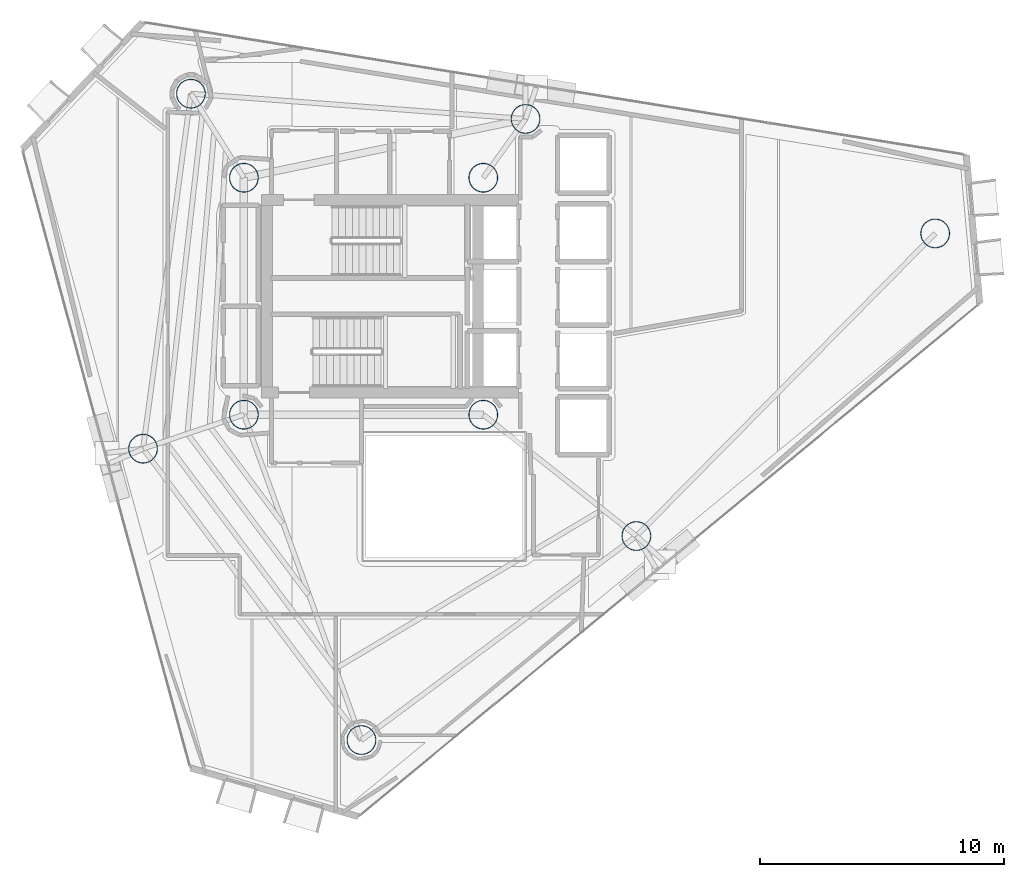
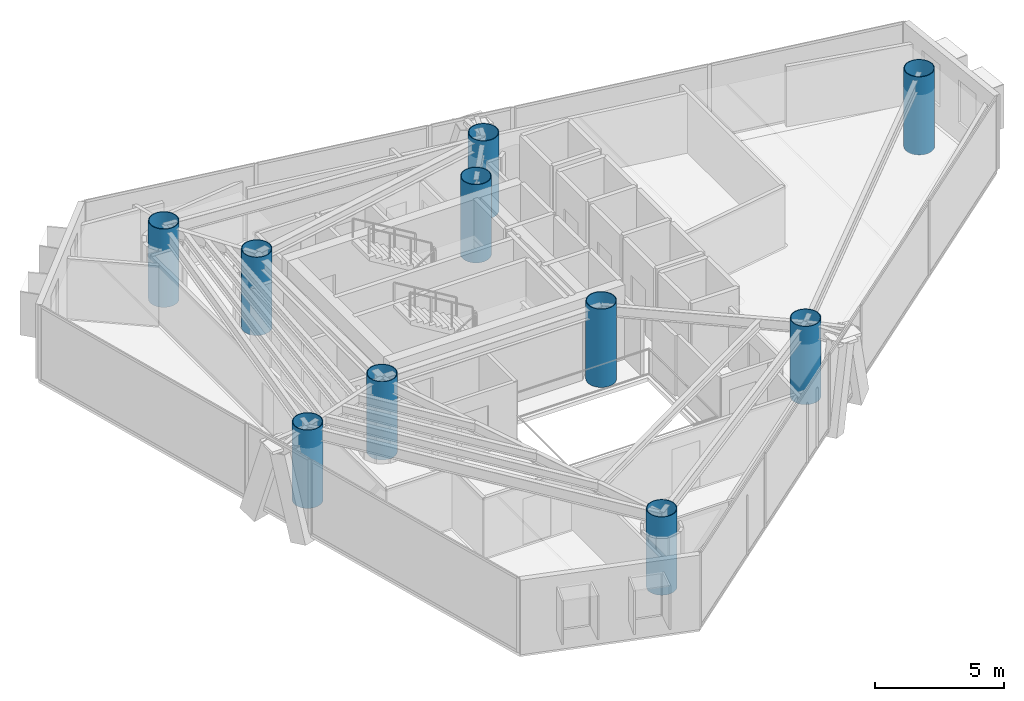
# One storey, part 1 of 21: 10 columns.
"""IFC4 building model written with IfcOpenShell, lengths in metres."""

from ifc_helpers import new_model, si_unit, direction, frame, origin, origin_2d, place, context, subcontext, project, spatial, hollow_circle, extrude, material, material_profile, profile_set, type_object, element, save


model = new_model("IFC4")

# Units and contexts
model_context = context("Model", 3, precision=1e-05, world=origin(), true_north=direction((0.0, 1.0)))
body_context = subcontext(model_context, "Body", "Model", "MODEL_VIEW")
ifc_project = project(units=[si_unit("LENGTHUNIT", "METRE"), si_unit("AREAUNIT", "SQUARE_METRE"), si_unit("VOLUMEUNIT", "CUBIC_METRE"), si_unit("PLANEANGLEUNIT", "RADIAN"), si_unit("MASSUNIT", "GRAM", prefix="KILO")], contexts=[model_context])

# Site, building, storey
site_placement = place(None, origin())
site = spatial("IfcSite", under=ifc_project, at=site_placement, CompositionType="ELEMENT")
building_placement = place(site_placement, origin())
building = spatial("IfcBuilding", under=site, at=building_placement, Name="Qianvela Tower", CompositionType="ELEMENT")
storey_placement = place(building_placement, frame((0.0, 0.0, 211.39990234375)))
storey = spatial("IfcBuildingStorey", under=building, at=storey_placement, Name="L54", CompositionType="ELEMENT", Elevation=211.39990234375)

# Columns
ifc_material = material(Name="Steel Q420GJC", Category="steel")
ifc_material_profile = material_profile(ifc_material, hollow_circle(Radius=0.60009765625, WallThickness=0.030029296875, at=origin_2d()), Name="CFT-1200x30")
ifc_profile_set = profile_set([ifc_material_profile], Name="Steel Q420GJC")
column_type = type_object("IfcColumnType", Name="COL-CFT-1200x30", PredefinedType="COLUMN", material=ifc_profile_set)
for number, where, z_axis, x_axis, name in (
    (1, (28.60009765625, 33.550048828125, 0.0), (0.0, 0.0, 1.0), (1.0, 0.0, 0.0), "L54 Core Corner Mega-Column CC-NW"),
    (2, (28.60009765625, 23.85009765625, 0.0), (0.0, 0.0, 1.0), (1.0, 0.0, 0.0), "L54 Core Corner Mega-Column CC-SW"),
    (3, (38.39990234375, 33.550048828125, 0.0), (0.0, 0.0, 1.0), (1.0, 0.0, 0.0), "L54 Core Corner Mega-Column CC-NE"),
    (4, (38.39990234375, 23.85009765625, 0.0), (0.0, 0.0, 1.0), (1.0, 0.0, 0.0), "L54 Core Corner Mega-Column CC-SE"),
    (5, (56.89697265625, 31.27001953125, 0.0), (0.0, 0.0, 1.0), (1.0, 0.0, 0.0), "L54 Zone Z5 CFT Mega-Column C1"),
    (6, (40.131103515625, 35.9580078125, 0.0), (0.0, 0.0, 1.0), (1.0, 0.0, 0.0), "L54 Zone Z5 CFT Mega-Column C2"),
    (7, (26.430908203125, 36.991943359375, 0.0), (0.0, 0.0, 1.0), (1.0, 0.0, 0.0), "L54 Zone Z5 CFT Mega-Column C3"),
    (8, (24.471923828125, 22.4599609375, 0.0), (0.0, 0.0, 1.0), (1.0, 0.0, 0.0), "L54 Zone Z5 CFT Mega-Column C4"),
    (9, (33.4130859375, 10.531005859375, 0.0), (0.0, 0.0, 1.0), (1.0, 0.0, 0.0), "L54 Zone Z5 CFT Mega-Column C5"),
    (10, (44.6669921875, 18.883056640625, 0.0), (0.0, 0.0, 1.0), (1.0, 0.0, 0.0), "L54 Zone Z5 CFT Mega-Column C6"),
):
    element("IfcColumn", number, at=place(storey_placement, frame(where, z_axis=z_axis, x_axis=x_axis)), inside=storey, type_object=column_type, Name=name, PredefinedType="COLUMN", context=body_context, shape_type="SweptSolid", body=[
        extrude(hollow_circle(Radius=0.60009765625, WallThickness=0.030029296875, at=origin_2d()), origin(), (0.0, 0.0, 1.0), 3.7001953125),
    ])

save(model, "model.ifc")
